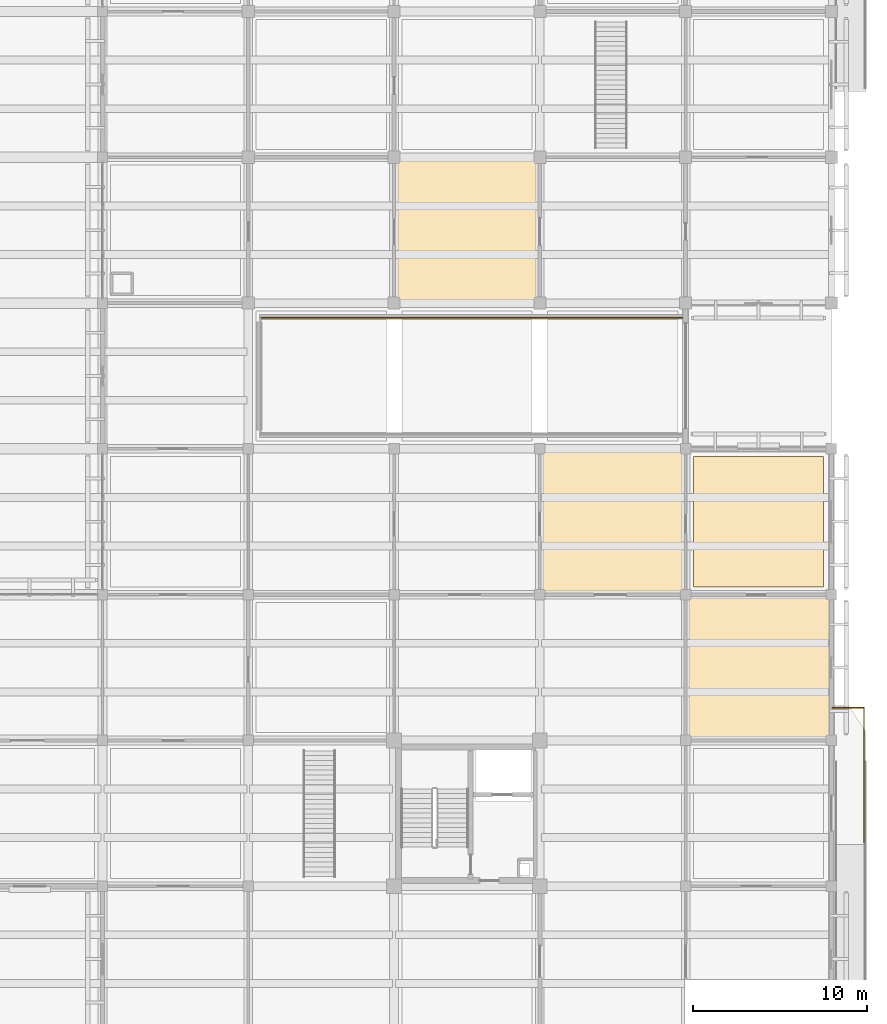
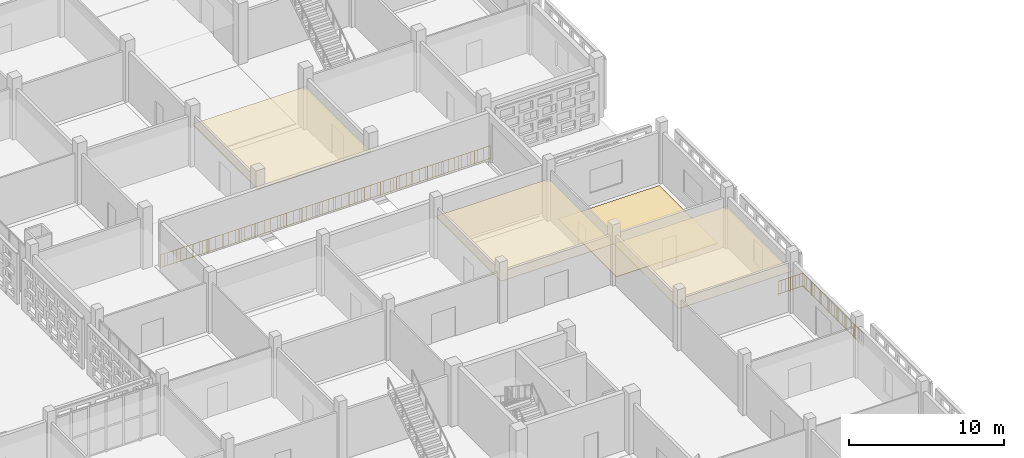
# One storey, part 119 of 129: 4 coverings, 3 railings.
"""IFC4 building model written with IfcOpenShell, lengths in metres."""

from ifc_helpers import new_model, si_unit, direction, frame, origin, origin_2d, place, context, subcontext, project, spatial, rectangle, circle, extrude, material, layer, layer_set, type_object, element, save


model = new_model("IFC4")

# Units and contexts
model_context = context("Model", 3, precision=1e-05, world=origin(), true_north=direction((0.0, 1.0)))
body_context = subcontext(model_context, "Body", "Model", "MODEL_VIEW")
ifc_project = project(units=[si_unit("LENGTHUNIT", "METRE"), si_unit("AREAUNIT", "SQUARE_METRE"), si_unit("VOLUMEUNIT", "CUBIC_METRE"), si_unit("PLANEANGLEUNIT", "RADIAN"), si_unit("MASSUNIT", "GRAM", prefix="KILO")], contexts=[model_context])

# Site, building, storey
site_placement = place(None, origin())
site = spatial("IfcSite", under=ifc_project, at=site_placement, CompositionType="ELEMENT")
building_placement = place(site_placement, origin())
building = spatial("IfcBuilding", under=site, at=building_placement, Name="Varnapada Polytechnic", CompositionType="ELEMENT")
storey_placement = place(building_placement, origin())
storey = spatial("IfcBuildingStorey", under=building, at=storey_placement, Name="L00", CompositionType="ELEMENT", Elevation=0.0)

# Coverings
ifc_material_1 = material(Name="Acoustic Rubber Seminar Flooring")
ifc_layer_1 = layer(ifc_material_1, 0.0400390625)
ifc_layer_set_1 = layer_set([ifc_layer_1], Name="Acoustic Rubber Seminar Flooring")
covering_type_1 = type_object("IfcCoveringType", Name="Floor Finish FLR-06", PredefinedType="FLOORING", material=ifc_layer_set_1)
covering_1_placement = place(storey_placement, frame((172.199951171875, 46.199951171875, 0.0), z_axis=(0.0, 0.0, 1.0), x_axis=(1.0, 0.0, 0.0)))
element("IfcCovering", 1, at=covering_1_placement, inside=storey, type_object=covering_type_1, Name="L00 floor finish panel (21,6)", PredefinedType="FLOORING", context=body_context, shape_type="SweptSolid", body=[
    extrude(rectangle(XDim=7.5, YDim=7.5, at=origin_2d()), origin(), (0.0, 0.0, 1.0), 0.0400390625),
])
ifc_material_2 = material(Name="Mineral Fibre Acoustic Ceiling Tile")
ifc_layer_2 = layer(ifc_material_2, 0.0400390625)
ifc_layer_set_2 = layer_set([ifc_layer_2], Name="Mineral Fibre Acoustic Ceiling Tile")
covering_type_2 = type_object("IfcCoveringType", Name="Suspended Ceiling CLG-01", PredefinedType="CEILING", material=ifc_layer_set_2)
covering_2_placement = place(storey_placement, frame((163.800048828125, 46.199951171875, 3.030029296875), z_axis=(0.0, 0.0, 1.0), x_axis=(1.0, 0.0, 0.0)))
element("IfcCovering", 2, at=covering_2_placement, inside=storey, type_object=covering_type_2, Name="L00 suspended acoustic ceiling (20,6)", PredefinedType="CEILING", context=body_context, shape_type="SweptSolid", body=[
    extrude(rectangle(XDim=8.419921875, YDim=8.419921875, at=origin_2d()), origin(), (0.0, 0.0, 1.0), 0.0400390625),
])
ifc_material_3 = material(Name="Cleanroom Laboratory Metal Pan Ceiling")
ifc_layer_3 = layer(ifc_material_3, 0.034912109375)
ifc_layer_set_3 = layer_set([ifc_layer_3], Name="Cleanroom Laboratory Metal Pan Ceiling")
covering_type_3 = type_object("IfcCoveringType", Name="Suspended Ceiling CLG-06", PredefinedType="CEILING", material=ifc_layer_set_3)
covering_3_placement = place(storey_placement, frame((172.199951171875, 37.800048828125, 3.03271484375), z_axis=(0.0, 0.0, 1.0), x_axis=(1.0, 0.0, 0.0)))
element("IfcCovering", 3, at=covering_3_placement, inside=storey, type_object=covering_type_3, Name="L00 suspended acoustic ceiling (21,5)", PredefinedType="CEILING", context=body_context, shape_type="SweptSolid", body=[
    extrude(rectangle(XDim=8.419921875, YDim=8.419921875, at=origin_2d()), origin(), (0.0, 0.0, 1.0), 0.034912109375),
])
ifc_material_4 = material(Name="Deep Acoustic Auditorium Cloud Baffle")
ifc_layer_4 = layer(ifc_material_4, 0.06494140625)
ifc_layer_set_4 = layer_set([ifc_layer_4], Name="Deep Acoustic Auditorium Cloud Baffle")
covering_type_4 = type_object("IfcCoveringType", Name="Suspended Ceiling CLG-07", PredefinedType="CEILING", material=ifc_layer_set_4)
covering_4_placement = place(storey_placement, frame((155.39990234375, 63.0, 3.017578125), z_axis=(0.0, 0.0, 1.0), x_axis=(1.0, 0.0, 0.0)))
element("IfcCovering", 4, at=covering_4_placement, inside=storey, type_object=covering_type_4, Name="L00 suspended acoustic ceiling (19,8)", PredefinedType="CEILING", context=body_context, shape_type="SweptSolid", body=[
    extrude(rectangle(XDim=8.419921875, YDim=8.419921875, at=origin_2d()), origin(), (0.0, 0.0, 1.0), 0.06494140625),
])

# Railings
ifc_material_5 = material(Name="Painted galvanized steel", Category="steel")
railing_type = type_object("IfcRailingType", Name="Terrace Guard Rail GRD-01", PredefinedType="BALUSTRADE", material=ifc_material_5)
railing_1_placement = place(storey_placement, frame((143.5, 57.949951171875, 0.0)))
element("IfcRailing", 5, at=railing_1_placement, inside=storey, type_object=railing_type, Name="L00 vehicle ramp well guard 2", PredefinedType="BALUSTRADE", context=body_context, shape_type="SweptSolid", body=[
    extrude(circle(Radius=0.02392578125, at=origin_2d()), frame((0.0, 0.0, 1.09619140625), z_axis=(1.0, 0.0, 0.0), x_axis=(0.0, 1.0, 0.0)), (0.0, 0.0, 1.0), 24.5),
    extrude(circle(Radius=0.02392578125, at=origin_2d()), frame((0.0, 0.0, 0.10009765625), z_axis=(1.0, 0.0, 0.0), x_axis=(0.0, 1.0, 0.0)), (0.0, 0.0, 1.0), 24.5),
    extrude(circle(Radius=0.02099609375, at=origin_2d()), origin(), (0.0, 0.0, 1.0), 1.072021484375),
    extrude(circle(Radius=0.02099609375, at=origin_2d()), frame((1.166748046875, 0.0, 0.0)), (0.0, 0.0, 1.0), 1.072021484375),
    extrude(circle(Radius=0.02099609375, at=origin_2d()), frame((2.333251953125, 0.0, 0.0)), (0.0, 0.0, 1.0), 1.072021484375),
    extrude(circle(Radius=0.02099609375, at=origin_2d()), frame((3.5, 0.0, 0.0)), (0.0, 0.0, 1.0), 1.072021484375),
    extrude(circle(Radius=0.02099609375, at=origin_2d()), frame((4.666748046875, 0.0, 0.0)), (0.0, 0.0, 1.0), 1.072021484375),
    extrude(circle(Radius=0.02099609375, at=origin_2d()), frame((5.833251953125, 0.0, 0.0)), (0.0, 0.0, 1.0), 1.072021484375),
    extrude(circle(Radius=0.02099609375, at=origin_2d()), frame((7.0, 0.0, 0.0)), (0.0, 0.0, 1.0), 1.072021484375),
    extrude(circle(Radius=0.02099609375, at=origin_2d()), frame((8.166748046875, 0.0, 0.0)), (0.0, 0.0, 1.0), 1.072021484375),
    extrude(circle(Radius=0.02099609375, at=origin_2d()), frame((9.333251953125, 0.0, 0.0)), (0.0, 0.0, 1.0), 1.072021484375),
    extrude(circle(Radius=0.02099609375, at=origin_2d()), frame((10.5, 0.0, 0.0)), (0.0, 0.0, 1.0), 1.072021484375),
    extrude(circle(Radius=0.02099609375, at=origin_2d()), frame((11.666748046875, 0.0, 0.0)), (0.0, 0.0, 1.0), 1.072021484375),
    extrude(circle(Radius=0.02099609375, at=origin_2d()), frame((12.833251953125, 0.0, 0.0)), (0.0, 0.0, 1.0), 1.072021484375),
    extrude(circle(Radius=0.02099609375, at=origin_2d()), frame((14.0, 0.0, 0.0)), (0.0, 0.0, 1.0), 1.072021484375),
    extrude(circle(Radius=0.02099609375, at=origin_2d()), frame((15.166748046875, 0.0, 0.0)), (0.0, 0.0, 1.0), 1.072021484375),
    extrude(circle(Radius=0.02099609375, at=origin_2d()), frame((16.333251953125, 0.0, 0.0)), (0.0, 0.0, 1.0), 1.072021484375),
    extrude(circle(Radius=0.02099609375, at=origin_2d()), frame((17.5, 0.0, 0.0)), (0.0, 0.0, 1.0), 1.072021484375),
    extrude(circle(Radius=0.02099609375, at=origin_2d()), frame((18.666748046875, 0.0, 0.0)), (0.0, 0.0, 1.0), 1.072021484375),
    extrude(circle(Radius=0.02099609375, at=origin_2d()), frame((19.833251953125, 0.0, 0.0)), (0.0, 0.0, 1.0), 1.072021484375),
    extrude(circle(Radius=0.02099609375, at=origin_2d()), frame((21.0, 0.0, 0.0)), (0.0, 0.0, 1.0), 1.072021484375),
    extrude(circle(Radius=0.02099609375, at=origin_2d()), frame((22.166748046875, 0.0, 0.0)), (0.0, 0.0, 1.0), 1.072021484375),
    extrude(circle(Radius=0.02099609375, at=origin_2d()), frame((23.333251953125, 0.0, 0.0)), (0.0, 0.0, 1.0), 1.072021484375),
    extrude(circle(Radius=0.02099609375, at=origin_2d()), frame((24.5, 0.0, 0.0)), (0.0, 0.0, 1.0), 1.072021484375),
    extrude(circle(Radius=0.010009765625, at=origin_2d()), frame((0.240234375, 0.0, 0.10009765625)), (0.0, 0.0, 1.0), 0.971923828125),
    extrude(circle(Radius=0.010009765625, at=origin_2d()), frame((0.48046875, 0.0, 0.10009765625)), (0.0, 0.0, 1.0), 0.971923828125),
    extrude(circle(Radius=0.010009765625, at=origin_2d()), frame((0.720703125, 0.0, 0.10009765625)), (0.0, 0.0, 1.0), 0.971923828125),
    extrude(circle(Radius=0.010009765625, at=origin_2d()), frame((0.960693359375, 0.0, 0.10009765625)), (0.0, 0.0, 1.0), 0.971923828125),
    extrude(circle(Radius=0.010009765625, at=origin_2d()), frame((1.200927734375, 0.0, 0.10009765625)), (0.0, 0.0, 1.0), 0.971923828125),
    extrude(circle(Radius=0.010009765625, at=origin_2d()), frame((1.441162109375, 0.0, 0.10009765625)), (0.0, 0.0, 1.0), 0.971923828125),
    extrude(circle(Radius=0.010009765625, at=origin_2d()), frame((1.681396484375, 0.0, 0.10009765625)), (0.0, 0.0, 1.0), 0.971923828125),
    extrude(circle(Radius=0.010009765625, at=origin_2d()), frame((1.921630859375, 0.0, 0.10009765625)), (0.0, 0.0, 1.0), 0.971923828125),
    extrude(circle(Radius=0.010009765625, at=origin_2d()), frame((2.161865234375, 0.0, 0.10009765625)), (0.0, 0.0, 1.0), 0.971923828125),
    extrude(circle(Radius=0.010009765625, at=origin_2d()), frame((2.40185546875, 0.0, 0.10009765625)), (0.0, 0.0, 1.0), 0.971923828125),
    extrude(circle(Radius=0.010009765625, at=origin_2d()), frame((2.64208984375, 0.0, 0.10009765625)), (0.0, 0.0, 1.0), 0.971923828125),
    extrude(circle(Radius=0.010009765625, at=origin_2d()), frame((2.88232421875, 0.0, 0.10009765625)), (0.0, 0.0, 1.0), 0.971923828125),
    extrude(circle(Radius=0.010009765625, at=origin_2d()), frame((3.12255859375, 0.0, 0.10009765625)), (0.0, 0.0, 1.0), 0.971923828125),
    extrude(circle(Radius=0.010009765625, at=origin_2d()), frame((3.36279296875, 0.0, 0.10009765625)), (0.0, 0.0, 1.0), 0.971923828125),
    extrude(circle(Radius=0.010009765625, at=origin_2d()), frame((3.60302734375, 0.0, 0.10009765625)), (0.0, 0.0, 1.0), 0.971923828125),
    extrude(circle(Radius=0.010009765625, at=origin_2d()), frame((3.843017578125, 0.0, 0.10009765625)), (0.0, 0.0, 1.0), 0.971923828125),
    extrude(circle(Radius=0.010009765625, at=origin_2d()), frame((4.083251953125, 0.0, 0.10009765625)), (0.0, 0.0, 1.0), 0.971923828125),
    extrude(circle(Radius=0.010009765625, at=origin_2d()), frame((4.323486328125, 0.0, 0.10009765625)), (0.0, 0.0, 1.0), 0.971923828125),
    extrude(circle(Radius=0.010009765625, at=origin_2d()), frame((4.563720703125, 0.0, 0.10009765625)), (0.0, 0.0, 1.0), 0.971923828125),
    extrude(circle(Radius=0.010009765625, at=origin_2d()), frame((4.803955078125, 0.0, 0.10009765625)), (0.0, 0.0, 1.0), 0.971923828125),
    extrude(circle(Radius=0.010009765625, at=origin_2d()), frame((5.044189453125, 0.0, 0.10009765625)), (0.0, 0.0, 1.0), 0.971923828125),
    extrude(circle(Radius=0.010009765625, at=origin_2d()), frame((5.284423828125, 0.0, 0.10009765625)), (0.0, 0.0, 1.0), 0.971923828125),
    extrude(circle(Radius=0.010009765625, at=origin_2d()), frame((5.5244140625, 0.0, 0.10009765625)), (0.0, 0.0, 1.0), 0.971923828125),
    extrude(circle(Radius=0.010009765625, at=origin_2d()), frame((5.7646484375, 0.0, 0.10009765625)), (0.0, 0.0, 1.0), 0.971923828125),
    extrude(circle(Radius=0.010009765625, at=origin_2d()), frame((6.0048828125, 0.0, 0.10009765625)), (0.0, 0.0, 1.0), 0.971923828125),
    extrude(circle(Radius=0.010009765625, at=origin_2d()), frame((6.2451171875, 0.0, 0.10009765625)), (0.0, 0.0, 1.0), 0.971923828125),
    extrude(circle(Radius=0.010009765625, at=origin_2d()), frame((6.4853515625, 0.0, 0.10009765625)), (0.0, 0.0, 1.0), 0.971923828125),
    extrude(circle(Radius=0.010009765625, at=origin_2d()), frame((6.7255859375, 0.0, 0.10009765625)), (0.0, 0.0, 1.0), 0.971923828125),
    extrude(circle(Radius=0.010009765625, at=origin_2d()), frame((6.965576171875, 0.0, 0.10009765625)), (0.0, 0.0, 1.0), 0.971923828125),
    extrude(circle(Radius=0.010009765625, at=origin_2d()), frame((7.205810546875, 0.0, 0.10009765625)), (0.0, 0.0, 1.0), 0.971923828125),
    extrude(circle(Radius=0.010009765625, at=origin_2d()), frame((7.446044921875, 0.0, 0.10009765625)), (0.0, 0.0, 1.0), 0.971923828125),
    extrude(circle(Radius=0.010009765625, at=origin_2d()), frame((7.686279296875, 0.0, 0.10009765625)), (0.0, 0.0, 1.0), 0.971923828125),
    extrude(circle(Radius=0.010009765625, at=origin_2d()), frame((7.926513671875, 0.0, 0.10009765625)), (0.0, 0.0, 1.0), 0.971923828125),
    extrude(circle(Radius=0.010009765625, at=origin_2d()), frame((8.166748046875, 0.0, 0.10009765625)), (0.0, 0.0, 1.0), 0.971923828125),
    extrude(circle(Radius=0.010009765625, at=origin_2d()), frame((8.406982421875, 0.0, 0.10009765625)), (0.0, 0.0, 1.0), 0.971923828125),
    extrude(circle(Radius=0.010009765625, at=origin_2d()), frame((8.64697265625, 0.0, 0.10009765625)), (0.0, 0.0, 1.0), 0.971923828125),
    extrude(circle(Radius=0.010009765625, at=origin_2d()), frame((8.88720703125, 0.0, 0.10009765625)), (0.0, 0.0, 1.0), 0.971923828125),
    extrude(circle(Radius=0.010009765625, at=origin_2d()), frame((9.12744140625, 0.0, 0.10009765625)), (0.0, 0.0, 1.0), 0.971923828125),
    extrude(circle(Radius=0.010009765625, at=origin_2d()), frame((9.36767578125, 0.0, 0.10009765625)), (0.0, 0.0, 1.0), 0.971923828125),
    extrude(circle(Radius=0.010009765625, at=origin_2d()), frame((9.60791015625, 0.0, 0.10009765625)), (0.0, 0.0, 1.0), 0.971923828125),
    extrude(circle(Radius=0.010009765625, at=origin_2d()), frame((9.84814453125, 0.0, 0.10009765625)), (0.0, 0.0, 1.0), 0.971923828125),
    extrude(circle(Radius=0.010009765625, at=origin_2d()), frame((10.088134765625, 0.0, 0.10009765625)), (0.0, 0.0, 1.0), 0.971923828125),
    extrude(circle(Radius=0.010009765625, at=origin_2d()), frame((10.328369140625, 0.0, 0.10009765625)), (0.0, 0.0, 1.0), 0.971923828125),
    extrude(circle(Radius=0.010009765625, at=origin_2d()), frame((10.568603515625, 0.0, 0.10009765625)), (0.0, 0.0, 1.0), 0.971923828125),
    extrude(circle(Radius=0.010009765625, at=origin_2d()), frame((10.808837890625, 0.0, 0.10009765625)), (0.0, 0.0, 1.0), 0.971923828125),
    extrude(circle(Radius=0.010009765625, at=origin_2d()), frame((11.049072265625, 0.0, 0.10009765625)), (0.0, 0.0, 1.0), 0.971923828125),
    extrude(circle(Radius=0.010009765625, at=origin_2d()), frame((11.289306640625, 0.0, 0.10009765625)), (0.0, 0.0, 1.0), 0.971923828125),
    extrude(circle(Radius=0.010009765625, at=origin_2d()), frame((11.529296875, 0.0, 0.10009765625)), (0.0, 0.0, 1.0), 0.971923828125),
    extrude(circle(Radius=0.010009765625, at=origin_2d()), frame((11.76953125, 0.0, 0.10009765625)), (0.0, 0.0, 1.0), 0.971923828125),
    extrude(circle(Radius=0.010009765625, at=origin_2d()), frame((12.009765625, 0.0, 0.10009765625)), (0.0, 0.0, 1.0), 0.971923828125),
    extrude(circle(Radius=0.010009765625, at=origin_2d()), frame((12.25, 0.0, 0.10009765625)), (0.0, 0.0, 1.0), 0.971923828125),
    extrude(circle(Radius=0.010009765625, at=origin_2d()), frame((12.490234375, 0.0, 0.10009765625)), (0.0, 0.0, 1.0), 0.971923828125),
    extrude(circle(Radius=0.010009765625, at=origin_2d()), frame((12.73046875, 0.0, 0.10009765625)), (0.0, 0.0, 1.0), 0.971923828125),
    extrude(circle(Radius=0.010009765625, at=origin_2d()), frame((12.970703125, 0.0, 0.10009765625)), (0.0, 0.0, 1.0), 0.971923828125),
    extrude(circle(Radius=0.010009765625, at=origin_2d()), frame((13.210693359375, 0.0, 0.10009765625)), (0.0, 0.0, 1.0), 0.971923828125),
    extrude(circle(Radius=0.010009765625, at=origin_2d()), frame((13.450927734375, 0.0, 0.10009765625)), (0.0, 0.0, 1.0), 0.971923828125),
    extrude(circle(Radius=0.010009765625, at=origin_2d()), frame((13.691162109375, 0.0, 0.10009765625)), (0.0, 0.0, 1.0), 0.971923828125),
    extrude(circle(Radius=0.010009765625, at=origin_2d()), frame((13.931396484375, 0.0, 0.10009765625)), (0.0, 0.0, 1.0), 0.971923828125),
    extrude(circle(Radius=0.010009765625, at=origin_2d()), frame((14.171630859375, 0.0, 0.10009765625)), (0.0, 0.0, 1.0), 0.971923828125),
    extrude(circle(Radius=0.010009765625, at=origin_2d()), frame((14.411865234375, 0.0, 0.10009765625)), (0.0, 0.0, 1.0), 0.971923828125),
    extrude(circle(Radius=0.010009765625, at=origin_2d()), frame((14.65185546875, 0.0, 0.10009765625)), (0.0, 0.0, 1.0), 0.971923828125),
    extrude(circle(Radius=0.010009765625, at=origin_2d()), frame((14.89208984375, 0.0, 0.10009765625)), (0.0, 0.0, 1.0), 0.971923828125),
    extrude(circle(Radius=0.010009765625, at=origin_2d()), frame((15.13232421875, 0.0, 0.10009765625)), (0.0, 0.0, 1.0), 0.971923828125),
    extrude(circle(Radius=0.010009765625, at=origin_2d()), frame((15.37255859375, 0.0, 0.10009765625)), (0.0, 0.0, 1.0), 0.971923828125),
    extrude(circle(Radius=0.010009765625, at=origin_2d()), frame((15.61279296875, 0.0, 0.10009765625)), (0.0, 0.0, 1.0), 0.971923828125),
    extrude(circle(Radius=0.010009765625, at=origin_2d()), frame((15.85302734375, 0.0, 0.10009765625)), (0.0, 0.0, 1.0), 0.971923828125),
    extrude(circle(Radius=0.010009765625, at=origin_2d()), frame((16.093017578125, 0.0, 0.10009765625)), (0.0, 0.0, 1.0), 0.971923828125),
    extrude(circle(Radius=0.010009765625, at=origin_2d()), frame((16.333251953125, 0.0, 0.10009765625)), (0.0, 0.0, 1.0), 0.971923828125),
    extrude(circle(Radius=0.010009765625, at=origin_2d()), frame((16.573486328125, 0.0, 0.10009765625)), (0.0, 0.0, 1.0), 0.971923828125),
    extrude(circle(Radius=0.010009765625, at=origin_2d()), frame((16.813720703125, 0.0, 0.10009765625)), (0.0, 0.0, 1.0), 0.971923828125),
    extrude(circle(Radius=0.010009765625, at=origin_2d()), frame((17.053955078125, 0.0, 0.10009765625)), (0.0, 0.0, 1.0), 0.971923828125),
    extrude(circle(Radius=0.010009765625, at=origin_2d()), frame((17.294189453125, 0.0, 0.10009765625)), (0.0, 0.0, 1.0), 0.971923828125),
    extrude(circle(Radius=0.010009765625, at=origin_2d()), frame((17.534423828125, 0.0, 0.10009765625)), (0.0, 0.0, 1.0), 0.971923828125),
    extrude(circle(Radius=0.010009765625, at=origin_2d()), frame((17.7744140625, 0.0, 0.10009765625)), (0.0, 0.0, 1.0), 0.971923828125),
    extrude(circle(Radius=0.010009765625, at=origin_2d()), frame((18.0146484375, 0.0, 0.10009765625)), (0.0, 0.0, 1.0), 0.971923828125),
    extrude(circle(Radius=0.010009765625, at=origin_2d()), frame((18.2548828125, 0.0, 0.10009765625)), (0.0, 0.0, 1.0), 0.971923828125),
    extrude(circle(Radius=0.010009765625, at=origin_2d()), frame((18.4951171875, 0.0, 0.10009765625)), (0.0, 0.0, 1.0), 0.971923828125),
    extrude(circle(Radius=0.010009765625, at=origin_2d()), frame((18.7353515625, 0.0, 0.10009765625)), (0.0, 0.0, 1.0), 0.971923828125),
    extrude(circle(Radius=0.010009765625, at=origin_2d()), frame((18.9755859375, 0.0, 0.10009765625)), (0.0, 0.0, 1.0), 0.971923828125),
    extrude(circle(Radius=0.010009765625, at=origin_2d()), frame((19.215576171875, 0.0, 0.10009765625)), (0.0, 0.0, 1.0), 0.971923828125),
    extrude(circle(Radius=0.010009765625, at=origin_2d()), frame((19.455810546875, 0.0, 0.10009765625)), (0.0, 0.0, 1.0), 0.971923828125),
    extrude(circle(Radius=0.010009765625, at=origin_2d()), frame((19.696044921875, 0.0, 0.10009765625)), (0.0, 0.0, 1.0), 0.971923828125),
    extrude(circle(Radius=0.010009765625, at=origin_2d()), frame((19.936279296875, 0.0, 0.10009765625)), (0.0, 0.0, 1.0), 0.971923828125),
    extrude(circle(Radius=0.010009765625, at=origin_2d()), frame((20.176513671875, 0.0, 0.10009765625)), (0.0, 0.0, 1.0), 0.971923828125),
    extrude(circle(Radius=0.010009765625, at=origin_2d()), frame((20.416748046875, 0.0, 0.10009765625)), (0.0, 0.0, 1.0), 0.971923828125),
    extrude(circle(Radius=0.010009765625, at=origin_2d()), frame((20.656982421875, 0.0, 0.10009765625)), (0.0, 0.0, 1.0), 0.971923828125),
    extrude(circle(Radius=0.010009765625, at=origin_2d()), frame((20.89697265625, 0.0, 0.10009765625)), (0.0, 0.0, 1.0), 0.971923828125),
    extrude(circle(Radius=0.010009765625, at=origin_2d()), frame((21.13720703125, 0.0, 0.10009765625)), (0.0, 0.0, 1.0), 0.971923828125),
    extrude(circle(Radius=0.010009765625, at=origin_2d()), frame((21.37744140625, 0.0, 0.10009765625)), (0.0, 0.0, 1.0), 0.971923828125),
    extrude(circle(Radius=0.010009765625, at=origin_2d()), frame((21.61767578125, 0.0, 0.10009765625)), (0.0, 0.0, 1.0), 0.971923828125),
    extrude(circle(Radius=0.010009765625, at=origin_2d()), frame((21.85791015625, 0.0, 0.10009765625)), (0.0, 0.0, 1.0), 0.971923828125),
    extrude(circle(Radius=0.010009765625, at=origin_2d()), frame((22.09814453125, 0.0, 0.10009765625)), (0.0, 0.0, 1.0), 0.971923828125),
    extrude(circle(Radius=0.010009765625, at=origin_2d()), frame((22.338134765625, 0.0, 0.10009765625)), (0.0, 0.0, 1.0), 0.971923828125),
    extrude(circle(Radius=0.010009765625, at=origin_2d()), frame((22.578369140625, 0.0, 0.10009765625)), (0.0, 0.0, 1.0), 0.971923828125),
    extrude(circle(Radius=0.010009765625, at=origin_2d()), frame((22.818603515625, 0.0, 0.10009765625)), (0.0, 0.0, 1.0), 0.971923828125),
    extrude(circle(Radius=0.010009765625, at=origin_2d()), frame((23.058837890625, 0.0, 0.10009765625)), (0.0, 0.0, 1.0), 0.971923828125),
    extrude(circle(Radius=0.010009765625, at=origin_2d()), frame((23.299072265625, 0.0, 0.10009765625)), (0.0, 0.0, 1.0), 0.971923828125),
    extrude(circle(Radius=0.010009765625, at=origin_2d()), frame((23.539306640625, 0.0, 0.10009765625)), (0.0, 0.0, 1.0), 0.971923828125),
    extrude(circle(Radius=0.010009765625, at=origin_2d()), frame((23.779296875, 0.0, 0.10009765625)), (0.0, 0.0, 1.0), 0.971923828125),
    extrude(circle(Radius=0.010009765625, at=origin_2d()), frame((24.01953125, 0.0, 0.10009765625)), (0.0, 0.0, 1.0), 0.971923828125),
    extrude(circle(Radius=0.010009765625, at=origin_2d()), frame((24.259765625, 0.0, 0.10009765625)), (0.0, 0.0, 1.0), 0.971923828125),
])
railing_2_placement = place(storey_placement, frame((178.280029296875, 27.719970703125, 0.0)))
element("IfcRailing", 6, at=railing_2_placement, inside=storey, type_object=railing_type, Name="L00 civic square colonnade edge guard GRD-LE1-E", PredefinedType="BALUSTRADE", context=body_context, shape_type="SweptSolid", body=[
    extrude(circle(Radius=0.02392578125, at=origin_2d()), frame((0.0, 0.0, 1.09619140625), z_axis=(0.0, 1.0, 0.0), x_axis=(-1.0, 0.0, 0.0)), (0.0, 0.0, 1.0), 7.760009765625),
    extrude(circle(Radius=0.02392578125, at=origin_2d()), frame((0.0, 0.0, 0.10009765625), z_axis=(0.0, 1.0, 0.0), x_axis=(-1.0, 0.0, 0.0)), (0.0, 0.0, 1.0), 7.760009765625),
    extrude(circle(Radius=0.02099609375, at=origin_2d()), origin(), (0.0, 0.0, 1.0), 1.072021484375),
    extrude(circle(Radius=0.02099609375, at=origin_2d()), frame((0.0, 1.108642578125, 0.0)), (0.0, 0.0, 1.0), 1.072021484375),
    extrude(circle(Radius=0.02099609375, at=origin_2d()), frame((0.0, 2.217041015625, 0.0)), (0.0, 0.0, 1.0), 1.072021484375),
    extrude(circle(Radius=0.02099609375, at=origin_2d()), frame((0.0, 3.32568359375, 0.0)), (0.0, 0.0, 1.0), 1.072021484375),
    extrude(circle(Radius=0.02099609375, at=origin_2d()), frame((0.0, 4.434326171875, 0.0)), (0.0, 0.0, 1.0), 1.072021484375),
    extrude(circle(Radius=0.02099609375, at=origin_2d()), frame((0.0, 5.54296875, 0.0)), (0.0, 0.0, 1.0), 1.072021484375),
    extrude(circle(Radius=0.02099609375, at=origin_2d()), frame((0.0, 6.6513671875, 0.0)), (0.0, 0.0, 1.0), 1.072021484375),
    extrude(circle(Radius=0.02099609375, at=origin_2d()), frame((0.0, 7.760009765625, 0.0)), (0.0, 0.0, 1.0), 1.072021484375),
    extrude(circle(Radius=0.010009765625, at=origin_2d()), frame((0.0, 0.242431640625, 0.10009765625)), (0.0, 0.0, 1.0), 0.971923828125),
    extrude(circle(Radius=0.010009765625, at=origin_2d()), frame((0.0, 0.485107421875, 0.10009765625)), (0.0, 0.0, 1.0), 0.971923828125),
    extrude(circle(Radius=0.010009765625, at=origin_2d()), frame((0.0, 0.7275390625, 0.10009765625)), (0.0, 0.0, 1.0), 0.971923828125),
    extrude(circle(Radius=0.010009765625, at=origin_2d()), frame((0.0, 0.969970703125, 0.10009765625)), (0.0, 0.0, 1.0), 0.971923828125),
    extrude(circle(Radius=0.010009765625, at=origin_2d()), frame((0.0, 1.21240234375, 0.10009765625)), (0.0, 0.0, 1.0), 0.971923828125),
    extrude(circle(Radius=0.010009765625, at=origin_2d()), frame((0.0, 1.455078125, 0.10009765625)), (0.0, 0.0, 1.0), 0.971923828125),
    extrude(circle(Radius=0.010009765625, at=origin_2d()), frame((0.0, 1.697509765625, 0.10009765625)), (0.0, 0.0, 1.0), 0.971923828125),
    extrude(circle(Radius=0.010009765625, at=origin_2d()), frame((0.0, 1.93994140625, 0.10009765625)), (0.0, 0.0, 1.0), 0.971923828125),
    extrude(circle(Radius=0.010009765625, at=origin_2d()), frame((0.0, 2.1826171875, 0.10009765625)), (0.0, 0.0, 1.0), 0.971923828125),
    extrude(circle(Radius=0.010009765625, at=origin_2d()), frame((0.0, 2.425048828125, 0.10009765625)), (0.0, 0.0, 1.0), 0.971923828125),
    extrude(circle(Radius=0.010009765625, at=origin_2d()), frame((0.0, 2.66748046875, 0.10009765625)), (0.0, 0.0, 1.0), 0.971923828125),
    extrude(circle(Radius=0.010009765625, at=origin_2d()), frame((0.0, 2.909912109375, 0.10009765625)), (0.0, 0.0, 1.0), 0.971923828125),
    extrude(circle(Radius=0.010009765625, at=origin_2d()), frame((0.0, 3.152587890625, 0.10009765625)), (0.0, 0.0, 1.0), 0.971923828125),
    extrude(circle(Radius=0.010009765625, at=origin_2d()), frame((0.0, 3.39501953125, 0.10009765625)), (0.0, 0.0, 1.0), 0.971923828125),
    extrude(circle(Radius=0.010009765625, at=origin_2d()), frame((0.0, 3.637451171875, 0.10009765625)), (0.0, 0.0, 1.0), 0.971923828125),
    extrude(circle(Radius=0.010009765625, at=origin_2d()), frame((0.0, 3.8798828125, 0.10009765625)), (0.0, 0.0, 1.0), 0.971923828125),
    extrude(circle(Radius=0.010009765625, at=origin_2d()), frame((0.0, 4.12255859375, 0.10009765625)), (0.0, 0.0, 1.0), 0.971923828125),
    extrude(circle(Radius=0.010009765625, at=origin_2d()), frame((0.0, 4.364990234375, 0.10009765625)), (0.0, 0.0, 1.0), 0.971923828125),
    extrude(circle(Radius=0.010009765625, at=origin_2d()), frame((0.0, 4.607421875, 0.10009765625)), (0.0, 0.0, 1.0), 0.971923828125),
    extrude(circle(Radius=0.010009765625, at=origin_2d()), frame((0.0, 4.85009765625, 0.10009765625)), (0.0, 0.0, 1.0), 0.971923828125),
    extrude(circle(Radius=0.010009765625, at=origin_2d()), frame((0.0, 5.092529296875, 0.10009765625)), (0.0, 0.0, 1.0), 0.971923828125),
    extrude(circle(Radius=0.010009765625, at=origin_2d()), frame((0.0, 5.3349609375, 0.10009765625)), (0.0, 0.0, 1.0), 0.971923828125),
    extrude(circle(Radius=0.010009765625, at=origin_2d()), frame((0.0, 5.577392578125, 0.10009765625)), (0.0, 0.0, 1.0), 0.971923828125),
    extrude(circle(Radius=0.010009765625, at=origin_2d()), frame((0.0, 5.820068359375, 0.10009765625)), (0.0, 0.0, 1.0), 0.971923828125),
    extrude(circle(Radius=0.010009765625, at=origin_2d()), frame((0.0, 6.0625, 0.10009765625)), (0.0, 0.0, 1.0), 0.971923828125),
    extrude(circle(Radius=0.010009765625, at=origin_2d()), frame((0.0, 6.304931640625, 0.10009765625)), (0.0, 0.0, 1.0), 0.971923828125),
    extrude(circle(Radius=0.010009765625, at=origin_2d()), frame((0.0, 6.547607421875, 0.10009765625)), (0.0, 0.0, 1.0), 0.971923828125),
    extrude(circle(Radius=0.010009765625, at=origin_2d()), frame((0.0, 6.7900390625, 0.10009765625)), (0.0, 0.0, 1.0), 0.971923828125),
    extrude(circle(Radius=0.010009765625, at=origin_2d()), frame((0.0, 7.032470703125, 0.10009765625)), (0.0, 0.0, 1.0), 0.971923828125),
    extrude(circle(Radius=0.010009765625, at=origin_2d()), frame((0.0, 7.27490234375, 0.10009765625)), (0.0, 0.0, 1.0), 0.971923828125),
    extrude(circle(Radius=0.010009765625, at=origin_2d()), frame((0.0, 7.517578125, 0.10009765625)), (0.0, 0.0, 1.0), 0.971923828125),
])
railing_3_placement = place(storey_placement, frame((176.449951171875, 35.47998046875, 0.0)))
element("IfcRailing", 7, at=railing_3_placement, inside=storey, type_object=railing_type, Name="L00 civic square colonnade edge guard GRD-LE1-N", PredefinedType="BALUSTRADE", context=body_context, shape_type="SweptSolid", body=[
    extrude(circle(Radius=0.02392578125, at=origin_2d()), frame((0.0, 0.0, 1.09619140625), z_axis=(1.0, 0.0, 0.0), x_axis=(0.0, 1.0, 0.0)), (0.0, 0.0, 1.0), 1.830078125),
    extrude(circle(Radius=0.02392578125, at=origin_2d()), frame((0.0, 0.0, 0.10009765625), z_axis=(1.0, 0.0, 0.0), x_axis=(0.0, 1.0, 0.0)), (0.0, 0.0, 1.0), 1.830078125),
    extrude(circle(Radius=0.02099609375, at=origin_2d()), origin(), (0.0, 0.0, 1.0), 1.072021484375),
    extrude(circle(Radius=0.02099609375, at=origin_2d()), frame((0.9150390625, 0.0, 0.0)), (0.0, 0.0, 1.0), 1.072021484375),
    extrude(circle(Radius=0.02099609375, at=origin_2d()), frame((1.830078125, 0.0, 0.0)), (0.0, 0.0, 1.0), 1.072021484375),
    extrude(circle(Radius=0.010009765625, at=origin_2d()), frame((0.261474609375, 0.0, 0.10009765625)), (0.0, 0.0, 1.0), 0.971923828125),
    extrude(circle(Radius=0.010009765625, at=origin_2d()), frame((0.52294921875, 0.0, 0.10009765625)), (0.0, 0.0, 1.0), 0.971923828125),
    extrude(circle(Radius=0.010009765625, at=origin_2d()), frame((0.784423828125, 0.0, 0.10009765625)), (0.0, 0.0, 1.0), 0.971923828125),
    extrude(circle(Radius=0.010009765625, at=origin_2d()), frame((1.045654296875, 0.0, 0.10009765625)), (0.0, 0.0, 1.0), 0.971923828125),
    extrude(circle(Radius=0.010009765625, at=origin_2d()), frame((1.30712890625, 0.0, 0.10009765625)), (0.0, 0.0, 1.0), 0.971923828125),
    extrude(circle(Radius=0.010009765625, at=origin_2d()), frame((1.568603515625, 0.0, 0.10009765625)), (0.0, 0.0, 1.0), 0.971923828125),
])

save(model, "model.ifc")
